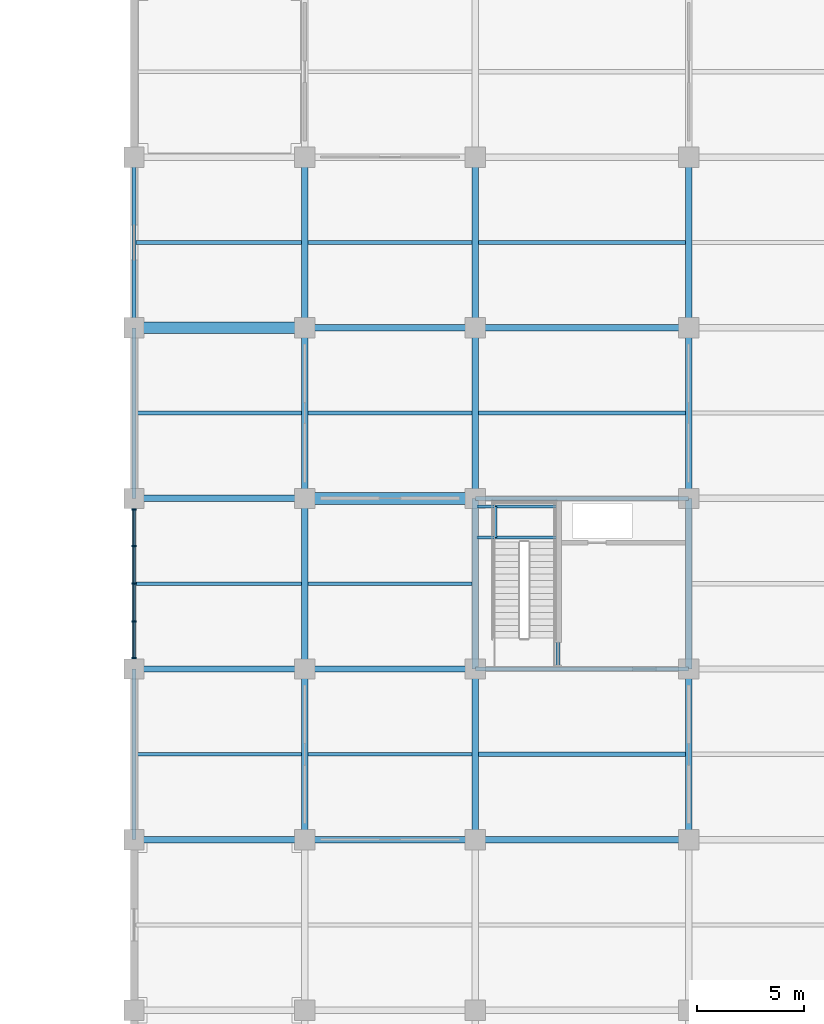
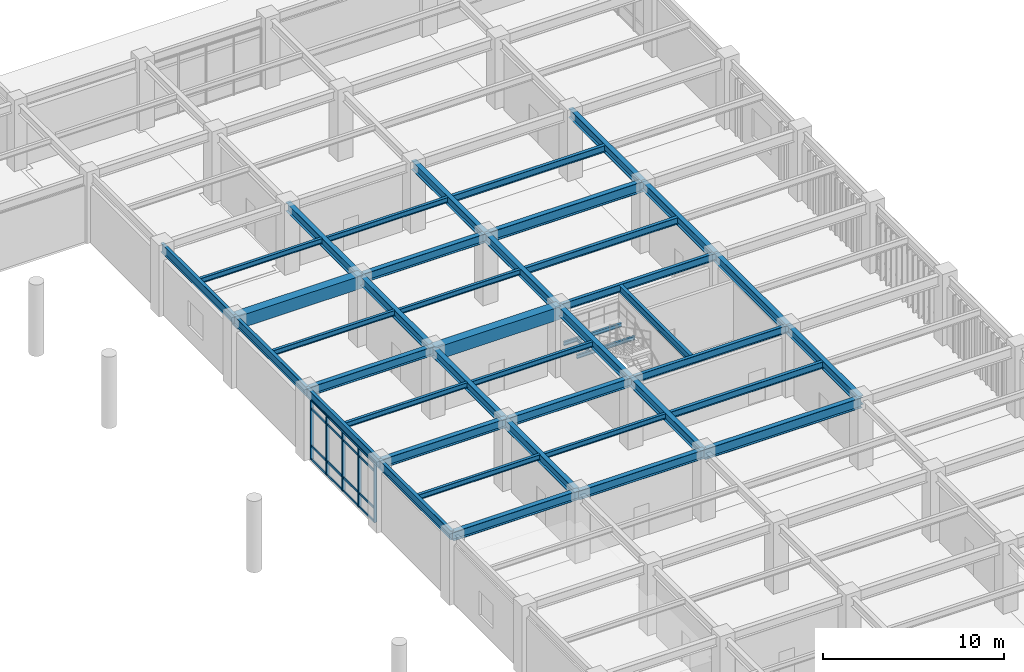
# One storey, part 36 of 109: 43 beams, 21 members, 1 element without a shape of its own.
"""IFC4 building model written with IfcOpenShell, lengths in metres."""

from ifc_helpers import new_model, si_unit, direction, frame, origin, origin_2d, place, context, subcontext, project, spatial, rectangle, i_section, extrude, material, layer, layer_set, material_profile, profile_set, type_object, element, aggregate, save


model = new_model("IFC4")

# Units and contexts
model_context = context("Model", 3, precision=1e-05, world=origin(), true_north=direction((0.0, 1.0)))
body_context = subcontext(model_context, "Body", "Model", "MODEL_VIEW")
ifc_project = project(units=[si_unit("LENGTHUNIT", "METRE"), si_unit("AREAUNIT", "SQUARE_METRE"), si_unit("VOLUMEUNIT", "CUBIC_METRE"), si_unit("PLANEANGLEUNIT", "RADIAN"), si_unit("MASSUNIT", "GRAM", prefix="KILO")], contexts=[model_context])

# Site, building, storey
site_placement = place(None, origin())
site = spatial("IfcSite", under=ifc_project, at=site_placement, CompositionType="ELEMENT")
building_placement = place(site_placement, origin())
building = spatial("IfcBuilding", under=site, at=building_placement, Name="Haebicheon Civic Stadium", CompositionType="ELEMENT")
storey_placement = place(building_placement, frame((0.0, 0.0, 9.60009765625)))
storey = spatial("IfcBuildingStorey", under=building, at=storey_placement, Name="L03", CompositionType="ELEMENT", Elevation=9.60009765625)

# Beams
ifc_material_1 = material(Name="Concrete C40/50", Category="concrete")
ifc_material_profile_1 = material_profile(ifc_material_1, rectangle(XDim=0.550048828125, YDim=0.85009765625, at=origin_2d()), Name="RC-BM-550x850")
ifc_profile_set_1 = profile_set([ifc_material_profile_1], Name="Concrete C40/50")
beam_type_1 = type_object("IfcBeamType", Name="BM-RC-550x850", PredefinedType="BEAM", material=ifc_profile_set_1)
for number, where, z_axis, x_axis, name in (
    (1, (200.0, 120.0, 4.15478515625), (1.0, 0.0, 0.0), (0.0, 1.0, 0.0), "L03 beam R/26-27"),
    (2, (208.0, 112.0, 4.114990234375), (1.0, 0.0, 0.0), (0.0, 1.0, 0.0), "L03 beam Q/27-28"),
):
    element("IfcBeam", number, at=place(storey_placement, frame(where, z_axis=z_axis, x_axis=x_axis)), inside=storey, type_object=beam_type_1, material=ifc_profile_set_1, Name=name, PredefinedType="BEAM", context=body_context, shape_type="SweptSolid", body=[
        extrude(rectangle(XDim=0.550048828125, YDim=0.85009765625, at=origin_2d()), origin(), (0.0, 0.0, 1.0), 8.0),
    ])
ifc_material_2 = material(Name="Steel SM355 (S355)", Category="steel")
ifc_material_profile_2 = material_profile(ifc_material_2, i_section(OverallWidth=0.199951171875, OverallDepth=0.5, WebThickness=0.010009765625, FlangeThickness=0.01611328125, at=origin_2d()), Name="H-500x200x10x16")
ifc_profile_set_2 = profile_set([ifc_material_profile_2], Name="Steel SM355 (S355)")
beam_type_2 = type_object("IfcBeamType", Name="BM-ST-H500", PredefinedType="BEAM", material=ifc_profile_set_2)
for number, where, z_axis, x_axis, name in (
    (3, (216.0, 104.0, 4.289794921875), (1.0, 0.0, 0.0), (0.0, 1.0, 0.0), "L03 beam P/28-29"),
    (4, (216.0, 112.0, 4.289794921875), (1.0, 0.0, 0.0), (0.0, 1.0, 0.0), "L03 beam Q/28-29"),
):
    element("IfcBeam", number, at=place(storey_placement, frame(where, z_axis=z_axis, x_axis=x_axis)), inside=storey, type_object=beam_type_2, material=ifc_profile_set_2, Name=name, PredefinedType="BEAM", context=body_context, shape_type="SweptSolid", body=[
        extrude(i_section(OverallWidth=0.199951171875, OverallDepth=0.5, WebThickness=0.010009765625, FlangeThickness=0.01611328125, at=origin_2d()), origin(), (0.0, 0.0, 1.0), 10.0),
    ])
beam_1_placement = place(storey_placement, frame((219.8798828125, 104.10009765625, 4.289794921875), z_axis=(0.0, 1.0, 0.0), x_axis=(-1.0, 0.0, 0.0)))
element("IfcBeam", 5, at=beam_1_placement, inside=storey, type_object=beam_type_2, material=ifc_profile_set_2, Name="L03 KC-13 core dividing wall support beam", PredefinedType="BEAM", context=body_context, shape_type="SweptSolid", body=[
    extrude(i_section(OverallWidth=0.199951171875, OverallDepth=0.5, WebThickness=0.010009765625, FlangeThickness=0.01611328125, at=origin_2d()), origin(), (0.0, 0.0, 1.0), 7.7998046875),
])
ifc_material_3 = material(Name="Steel SM355 (S355)", Category="steel")
ifc_material_profile_3 = material_profile(ifc_material_3, i_section(OverallWidth=0.300048828125, OverallDepth=0.60009765625, WebThickness=0.011962890625, FlangeThickness=0.02001953125, at=origin_2d()), Name="H-600x300x12x20")
ifc_profile_set_3 = profile_set([ifc_material_profile_3], Name="Steel SM355 (S355)")
beam_type_3 = type_object("IfcBeamType", Name="BM-ST-H600A", PredefinedType="BEAM", material=ifc_profile_set_3)
for number, where, z_axis, x_axis, name in (
    (6, (208.0, 96.0, 4.239990234375), (0.0, 1.0, 0.0), (-1.0, 0.0, 0.0), "L03 girder 27/N-P"),
    (7, (208.0, 104.0, 4.239990234375), (0.0, 1.0, 0.0), (-1.0, 0.0, 0.0), "L03 girder 27/P-Q"),
    (8, (208.0, 112.0, 4.239990234375), (0.0, 1.0, 0.0), (-1.0, 0.0, 0.0), "L03 girder 27/Q-R"),
    (9, (208.0, 120.0, 4.239990234375), (0.0, 1.0, 0.0), (-1.0, 0.0, 0.0), "L03 girder 27/R-S"),
    (10, (216.0, 96.0, 4.239990234375), (0.0, 1.0, 0.0), (-1.0, 0.0, 0.0), "L03 girder 28/N-P"),
    (11, (216.0, 104.0, 4.239990234375), (0.0, 1.0, 0.0), (-1.0, 0.0, 0.0), "L03 girder 28/P-Q"),
    (12, (216.0, 112.0, 4.239990234375), (0.0, 1.0, 0.0), (-1.0, 0.0, 0.0), "L03 girder 28/Q-R"),
    (13, (216.0, 120.0, 4.239990234375), (0.0, 1.0, 0.0), (-1.0, 0.0, 0.0), "L03 girder 28/R-S"),
    (14, (226.0, 96.0, 4.239990234375), (0.0, 1.0, 0.0), (-1.0, 0.0, 0.0), "L03 girder 29/N-P"),
    (15, (226.0, 104.0, 4.239990234375), (0.0, 1.0, 0.0), (-1.0, 0.0, 0.0), "L03 girder 29/P-Q"),
    (16, (226.0, 112.0, 4.239990234375), (0.0, 1.0, 0.0), (-1.0, 0.0, 0.0), "L03 girder 29/Q-R"),
    (17, (226.0, 120.0, 4.239990234375), (0.0, 1.0, 0.0), (-1.0, 0.0, 0.0), "L03 girder 29/R-S"),
    (18, (200.0, 96.0, 4.27978515625), (1.0, 0.0, 0.0), (0.0, 1.0, 0.0), "L03 beam N/26-27"),
    (19, (200.0, 104.0, 4.27978515625), (1.0, 0.0, 0.0), (0.0, 1.0, 0.0), "L03 beam P/26-27"),
    (20, (200.0, 112.0, 4.27978515625), (1.0, 0.0, 0.0), (0.0, 1.0, 0.0), "L03 beam Q/26-27"),
    (21, (208.0, 96.0, 4.239990234375), (1.0, 0.0, 0.0), (0.0, 1.0, 0.0), "L03 beam N/27-28"),
    (22, (208.0, 104.0, 4.239990234375), (1.0, 0.0, 0.0), (0.0, 1.0, 0.0), "L03 beam P/27-28"),
    (23, (208.0, 120.0, 4.239990234375), (1.0, 0.0, 0.0), (0.0, 1.0, 0.0), "L03 beam R/27-28"),
):
    element("IfcBeam", number, at=place(storey_placement, frame(where, z_axis=z_axis, x_axis=x_axis)), inside=storey, type_object=beam_type_3, material=ifc_profile_set_3, Name=name, PredefinedType="BEAM", context=body_context, shape_type="SweptSolid", body=[
        extrude(i_section(OverallWidth=0.300048828125, OverallDepth=0.60009765625, WebThickness=0.011962890625, FlangeThickness=0.02001953125, at=origin_2d()), origin(), (0.0, 0.0, 1.0), 8.0),
    ])
ifc_material_4 = material(Name="Steel SM490", Category="steel")
ifc_material_profile_4 = material_profile(ifc_material_4, i_section(OverallWidth=0.300048828125, OverallDepth=0.699951171875, WebThickness=0.012939453125, FlangeThickness=0.02392578125, at=origin_2d()), Name="H-700x300x13x24")
ifc_profile_set_4 = profile_set([ifc_material_profile_4], Name="Steel SM490")
beam_type_4 = type_object("IfcBeamType", Name="BM-ST-H700", PredefinedType="BEAM", material=ifc_profile_set_4)
for number, where, z_axis, x_axis, name in (
    (24, (216.0, 96.0, 4.18994140625), (1.0, 0.0, 0.0), (0.0, 1.0, 0.0), "L03 beam N/28-29"),
    (25, (216.0, 120.0, 4.18994140625), (1.0, 0.0, 0.0), (0.0, 1.0, 0.0), "L03 beam R/28-29"),
):
    element("IfcBeam", number, at=place(storey_placement, frame(where, z_axis=z_axis, x_axis=x_axis)), inside=storey, type_object=beam_type_4, material=ifc_profile_set_4, Name=name, PredefinedType="BEAM", context=body_context, shape_type="SweptSolid", body=[
        extrude(i_section(OverallWidth=0.300048828125, OverallDepth=0.699951171875, WebThickness=0.012939453125, FlangeThickness=0.02392578125, at=origin_2d()), origin(), (0.0, 0.0, 1.0), 10.0),
    ])

# Curtain wall, members
ifc_material_5 = material(Name="Anodised aluminium and laminated glass", Category="aluminium")
ifc_layer = layer(ifc_material_5, 0.179931640625, Name="Anodised aluminium and laminated glass")
ifc_layer_set = layer_set([ifc_layer], Name="Anodised aluminium and laminated glass")
curtain_wall_type = type_object("IfcCurtainWallType", Name="CW-7050x3950", PredefinedType="NOTDEFINED", material=ifc_layer_set)
curtain_wall_placement = place(storey_placement, origin())
curtain_wall = element("IfcCurtainWall", 26, at=curtain_wall_placement, inside=storey, type_object=curtain_wall_type, material=ifc_layer_set, Name="L03 unitised curtain wall 099", PredefinedType="NOTDEFINED")
ifc_material_6 = material(Name="Anodised aluminium 6063-T6", Category="aluminium")
ifc_material_profile_5 = material_profile(ifc_material_6, rectangle(XDim=0.070068359375, YDim=0.199951171875, at=origin_2d()), Name="ALU-MULL-70x200")
ifc_profile_set_5 = profile_set([ifc_material_profile_5], Name="Anodised aluminium 6063-T6")
member_type_1 = type_object("IfcMemberType", Name="CWM-200x70", PredefinedType="MULLION", material=ifc_profile_set_5)
member_1_placement = place(storey_placement, frame((200.0, 104.510009765625, 0.0), z_axis=(0.0, 0.0, 1.0), x_axis=(0.0, 1.0, 0.0)))
member_1 = element("IfcMember", 27, at=member_1_placement, type_object=member_type_1, material=ifc_profile_set_5, Name="CW-L03-099 vertical mullion 1", PredefinedType="MULLION", context=body_context, shape_type="SweptSolid", body=[
    extrude(rectangle(XDim=0.070068359375, YDim=0.199951171875, at=origin_2d()), origin(), (0.0, 0.0, 1.0), 3.949951171875),
])
member_2_placement = place(storey_placement, frame((200.0, 106.237060546875, 0.0), z_axis=(0.0, 0.0, 1.0), x_axis=(0.0, 1.0, 0.0)))
member_2 = element("IfcMember", 28, at=member_2_placement, type_object=member_type_1, material=ifc_profile_set_5, Name="CW-L03-099 vertical mullion 2", PredefinedType="MULLION", context=body_context, shape_type="SweptSolid", body=[
    extrude(rectangle(XDim=0.070068359375, YDim=0.199951171875, at=origin_2d()), origin(), (0.0, 0.0, 1.0), 3.949951171875),
])
member_3_placement = place(storey_placement, frame((200.0, 108.0, 0.0), z_axis=(0.0, 0.0, 1.0), x_axis=(0.0, 1.0, 0.0)))
member_3 = element("IfcMember", 29, at=member_3_placement, type_object=member_type_1, material=ifc_profile_set_5, Name="CW-L03-099 vertical mullion 3", PredefinedType="MULLION", context=body_context, shape_type="SweptSolid", body=[
    extrude(rectangle(XDim=0.070068359375, YDim=0.199951171875, at=origin_2d()), origin(), (0.0, 0.0, 1.0), 3.949951171875),
])
member_4_placement = place(storey_placement, frame((200.0, 109.762939453125, 0.0), z_axis=(0.0, 0.0, 1.0), x_axis=(0.0, 1.0, 0.0)))
member_4 = element("IfcMember", 30, at=member_4_placement, type_object=member_type_1, material=ifc_profile_set_5, Name="CW-L03-099 vertical mullion 4", PredefinedType="MULLION", context=body_context, shape_type="SweptSolid", body=[
    extrude(rectangle(XDim=0.070068359375, YDim=0.199951171875, at=origin_2d()), origin(), (0.0, 0.0, 1.0), 3.949951171875),
])
member_5_placement = place(storey_placement, frame((200.0, 111.489990234375, 0.0), z_axis=(0.0, 0.0, 1.0), x_axis=(0.0, 1.0, 0.0)))
member_5 = element("IfcMember", 31, at=member_5_placement, type_object=member_type_1, material=ifc_profile_set_5, Name="CW-L03-099 vertical mullion 5", PredefinedType="MULLION", context=body_context, shape_type="SweptSolid", body=[
    extrude(rectangle(XDim=0.070068359375, YDim=0.199951171875, at=origin_2d()), origin(), (0.0, 0.0, 1.0), 3.949951171875),
])
ifc_material_7 = material(Name="Anodised aluminium 6063-T6", Category="aluminium")
ifc_material_profile_6 = material_profile(ifc_material_7, rectangle(XDim=0.070068359375, YDim=0.14990234375, at=origin_2d()), Name="ALU-TRAN-70x150")
ifc_profile_set_6 = profile_set([ifc_material_profile_6], Name="Anodised aluminium 6063-T6")
member_type_2 = type_object("IfcMemberType", Name="CWT-150x70", PredefinedType="NOTDEFINED", material=ifc_profile_set_6)
member_6_placement = place(storey_placement, frame((200.0, 104.544921875, 0.0), z_axis=(0.0, 1.0, 0.0), x_axis=(-1.0, 0.0, 0.0)))
member_6 = element("IfcMember", 32, at=member_6_placement, type_object=member_type_2, material=ifc_profile_set_6, Name="CW-L03-099 horizontal transom 1.1", ObjectType="TRANSOM", PredefinedType="USERDEFINED", context=body_context, shape_type="SweptSolid", body=[
    extrude(rectangle(XDim=0.070068359375, YDim=0.14990234375, at=origin_2d()), origin(), (0.0, 0.0, 1.0), 1.656982421875),
])
member_7_placement = place(storey_placement, frame((200.0, 104.544921875, 0.89990234375), z_axis=(0.0, 1.0, 0.0), x_axis=(-1.0, 0.0, 0.0)))
member_7 = element("IfcMember", 33, at=member_7_placement, type_object=member_type_2, material=ifc_profile_set_6, Name="CW-L03-099 horizontal transom 1.2", ObjectType="TRANSOM", PredefinedType="USERDEFINED", context=body_context, shape_type="SweptSolid", body=[
    extrude(rectangle(XDim=0.070068359375, YDim=0.14990234375, at=origin_2d()), origin(), (0.0, 0.0, 1.0), 1.656982421875),
])
member_8_placement = place(storey_placement, frame((200.0, 104.544921875, 3.39990234375), z_axis=(0.0, 1.0, 0.0), x_axis=(-1.0, 0.0, 0.0)))
member_8 = element("IfcMember", 34, at=member_8_placement, type_object=member_type_2, material=ifc_profile_set_6, Name="CW-L03-099 horizontal transom 1.3", ObjectType="TRANSOM", PredefinedType="USERDEFINED", context=body_context, shape_type="SweptSolid", body=[
    extrude(rectangle(XDim=0.070068359375, YDim=0.14990234375, at=origin_2d()), origin(), (0.0, 0.0, 1.0), 1.656982421875),
])
member_9_placement = place(storey_placement, frame((200.0, 104.544921875, 3.949951171875), z_axis=(0.0, 1.0, 0.0), x_axis=(-1.0, 0.0, 0.0)))
member_9 = element("IfcMember", 35, at=member_9_placement, type_object=member_type_2, material=ifc_profile_set_6, Name="CW-L03-099 horizontal transom 1.4", ObjectType="TRANSOM", PredefinedType="USERDEFINED", context=body_context, shape_type="SweptSolid", body=[
    extrude(rectangle(XDim=0.070068359375, YDim=0.14990234375, at=origin_2d()), origin(), (0.0, 0.0, 1.0), 1.656982421875),
])
member_10_placement = place(storey_placement, frame((200.0, 106.27197265625, 0.0), z_axis=(0.0, 1.0, 0.0), x_axis=(-1.0, 0.0, 0.0)))
member_10 = element("IfcMember", 36, at=member_10_placement, type_object=member_type_2, material=ifc_profile_set_6, Name="CW-L03-099 horizontal transom 2.1", ObjectType="TRANSOM", PredefinedType="USERDEFINED", context=body_context, shape_type="SweptSolid", body=[
    extrude(rectangle(XDim=0.070068359375, YDim=0.14990234375, at=origin_2d()), origin(), (0.0, 0.0, 1.0), 1.693115234375),
])
member_11_placement = place(storey_placement, frame((200.0, 106.27197265625, 0.89990234375), z_axis=(0.0, 1.0, 0.0), x_axis=(-1.0, 0.0, 0.0)))
member_11 = element("IfcMember", 37, at=member_11_placement, type_object=member_type_2, material=ifc_profile_set_6, Name="CW-L03-099 horizontal transom 2.2", ObjectType="TRANSOM", PredefinedType="USERDEFINED", context=body_context, shape_type="SweptSolid", body=[
    extrude(rectangle(XDim=0.070068359375, YDim=0.14990234375, at=origin_2d()), origin(), (0.0, 0.0, 1.0), 1.693115234375),
])
member_12_placement = place(storey_placement, frame((200.0, 106.27197265625, 3.39990234375), z_axis=(0.0, 1.0, 0.0), x_axis=(-1.0, 0.0, 0.0)))
member_12 = element("IfcMember", 38, at=member_12_placement, type_object=member_type_2, material=ifc_profile_set_6, Name="CW-L03-099 horizontal transom 2.3", ObjectType="TRANSOM", PredefinedType="USERDEFINED", context=body_context, shape_type="SweptSolid", body=[
    extrude(rectangle(XDim=0.070068359375, YDim=0.14990234375, at=origin_2d()), origin(), (0.0, 0.0, 1.0), 1.693115234375),
])
member_13_placement = place(storey_placement, frame((200.0, 106.27197265625, 3.949951171875), z_axis=(0.0, 1.0, 0.0), x_axis=(-1.0, 0.0, 0.0)))
member_13 = element("IfcMember", 39, at=member_13_placement, type_object=member_type_2, material=ifc_profile_set_6, Name="CW-L03-099 horizontal transom 2.4", ObjectType="TRANSOM", PredefinedType="USERDEFINED", context=body_context, shape_type="SweptSolid", body=[
    extrude(rectangle(XDim=0.070068359375, YDim=0.14990234375, at=origin_2d()), origin(), (0.0, 0.0, 1.0), 1.693115234375),
])
member_14_placement = place(storey_placement, frame((200.0, 108.034912109375, 0.0), z_axis=(0.0, 1.0, 0.0), x_axis=(-1.0, 0.0, 0.0)))
member_14 = element("IfcMember", 40, at=member_14_placement, type_object=member_type_2, material=ifc_profile_set_6, Name="CW-L03-099 horizontal transom 3.1", ObjectType="TRANSOM", PredefinedType="USERDEFINED", context=body_context, shape_type="SweptSolid", body=[
    extrude(rectangle(XDim=0.070068359375, YDim=0.14990234375, at=origin_2d()), origin(), (0.0, 0.0, 1.0), 1.693115234375),
])
member_15_placement = place(storey_placement, frame((200.0, 108.034912109375, 0.89990234375), z_axis=(0.0, 1.0, 0.0), x_axis=(-1.0, 0.0, 0.0)))
member_15 = element("IfcMember", 41, at=member_15_placement, type_object=member_type_2, material=ifc_profile_set_6, Name="CW-L03-099 horizontal transom 3.2", ObjectType="TRANSOM", PredefinedType="USERDEFINED", context=body_context, shape_type="SweptSolid", body=[
    extrude(rectangle(XDim=0.070068359375, YDim=0.14990234375, at=origin_2d()), origin(), (0.0, 0.0, 1.0), 1.693115234375),
])
member_16_placement = place(storey_placement, frame((200.0, 108.034912109375, 3.39990234375), z_axis=(0.0, 1.0, 0.0), x_axis=(-1.0, 0.0, 0.0)))
member_16 = element("IfcMember", 42, at=member_16_placement, type_object=member_type_2, material=ifc_profile_set_6, Name="CW-L03-099 horizontal transom 3.3", ObjectType="TRANSOM", PredefinedType="USERDEFINED", context=body_context, shape_type="SweptSolid", body=[
    extrude(rectangle(XDim=0.070068359375, YDim=0.14990234375, at=origin_2d()), origin(), (0.0, 0.0, 1.0), 1.693115234375),
])
member_17_placement = place(storey_placement, frame((200.0, 108.034912109375, 3.949951171875), z_axis=(0.0, 1.0, 0.0), x_axis=(-1.0, 0.0, 0.0)))
member_17 = element("IfcMember", 43, at=member_17_placement, type_object=member_type_2, material=ifc_profile_set_6, Name="CW-L03-099 horizontal transom 3.4", ObjectType="TRANSOM", PredefinedType="USERDEFINED", context=body_context, shape_type="SweptSolid", body=[
    extrude(rectangle(XDim=0.070068359375, YDim=0.14990234375, at=origin_2d()), origin(), (0.0, 0.0, 1.0), 1.693115234375),
])
member_18_placement = place(storey_placement, frame((200.0, 109.798095703125, 0.0), z_axis=(0.0, 1.0, 0.0), x_axis=(-1.0, 0.0, 0.0)))
member_18 = element("IfcMember", 44, at=member_18_placement, type_object=member_type_2, material=ifc_profile_set_6, Name="CW-L03-099 horizontal transom 4.1", ObjectType="TRANSOM", PredefinedType="USERDEFINED", context=body_context, shape_type="SweptSolid", body=[
    extrude(rectangle(XDim=0.070068359375, YDim=0.14990234375, at=origin_2d()), origin(), (0.0, 0.0, 1.0), 1.656982421875),
])
member_19_placement = place(storey_placement, frame((200.0, 109.798095703125, 0.89990234375), z_axis=(0.0, 1.0, 0.0), x_axis=(-1.0, 0.0, 0.0)))
member_19 = element("IfcMember", 45, at=member_19_placement, type_object=member_type_2, material=ifc_profile_set_6, Name="CW-L03-099 horizontal transom 4.2", ObjectType="TRANSOM", PredefinedType="USERDEFINED", context=body_context, shape_type="SweptSolid", body=[
    extrude(rectangle(XDim=0.070068359375, YDim=0.14990234375, at=origin_2d()), origin(), (0.0, 0.0, 1.0), 1.656982421875),
])
member_20_placement = place(storey_placement, frame((200.0, 109.798095703125, 3.39990234375), z_axis=(0.0, 1.0, 0.0), x_axis=(-1.0, 0.0, 0.0)))
member_20 = element("IfcMember", 46, at=member_20_placement, type_object=member_type_2, material=ifc_profile_set_6, Name="CW-L03-099 horizontal transom 4.3", ObjectType="TRANSOM", PredefinedType="USERDEFINED", context=body_context, shape_type="SweptSolid", body=[
    extrude(rectangle(XDim=0.070068359375, YDim=0.14990234375, at=origin_2d()), origin(), (0.0, 0.0, 1.0), 1.656982421875),
])
member_21_placement = place(storey_placement, frame((200.0, 109.798095703125, 3.949951171875), z_axis=(0.0, 1.0, 0.0), x_axis=(-1.0, 0.0, 0.0)))
member_21 = element("IfcMember", 47, at=member_21_placement, type_object=member_type_2, material=ifc_profile_set_6, Name="CW-L03-099 horizontal transom 4.4", ObjectType="TRANSOM", PredefinedType="USERDEFINED", context=body_context, shape_type="SweptSolid", body=[
    extrude(rectangle(XDim=0.070068359375, YDim=0.14990234375, at=origin_2d()), origin(), (0.0, 0.0, 1.0), 1.656982421875),
])
aggregate(curtain_wall, [member_1, member_2, member_3, member_4, member_5, member_6, member_7, member_8, member_9, member_10, member_11, member_12, member_13, member_14, member_15, member_16, member_17, member_18, member_19, member_20, member_21])

# Beams
ifc_material_8 = material(Name="Steel SM355 (S355)", Category="steel")
ifc_material_profile_7 = material_profile(ifc_material_8, i_section(OverallWidth=0.125, OverallDepth=0.25, WebThickness=0.006103515625, FlangeThickness=0.009033203125, at=origin_2d()), Name="H-250x125x6x9")
ifc_profile_set_7 = profile_set([ifc_material_profile_7], Name="Steel SM355 (S355)")
beam_type_5 = type_object("IfcBeamType", Name="JST-ST-H250", PredefinedType="JOIST", material=ifc_profile_set_7)
for number, where, z_axis, x_axis, name in (
    (48, (216.080078125, 110.169921875, 2.072021484375), (1.0, 0.0, 0.0), (0.0, 1.0, 0.0), "KC-13 L03 stair half-landing front trimmer beam"),
    (49, (216.080078125, 111.6201171875, 2.072021484375), (1.0, 0.0, 0.0), (0.0, 1.0, 0.0), "KC-13 L03 stair half-landing rear trimmer beam"),
):
    element("IfcBeam", number, at=place(storey_placement, frame(where, z_axis=z_axis, x_axis=x_axis)), inside=storey, type_object=beam_type_5, material=ifc_profile_set_7, Name=name, PredefinedType="JOIST", context=body_context, shape_type="SweptSolid", body=[
        extrude(i_section(OverallWidth=0.125, OverallDepth=0.25, WebThickness=0.006103515625, FlangeThickness=0.009033203125, at=origin_2d()), origin(), (0.0, 0.0, 1.0), 3.719970703125),
    ])
beam_2_placement = place(storey_placement, frame((216.9599609375, 110.169921875, 2.072021484375), z_axis=(0.0, 1.0, 0.0), x_axis=(-1.0, 0.0, 0.0)))
element("IfcBeam", 50, at=beam_2_placement, inside=storey, type_object=beam_type_5, material=ifc_profile_set_7, Name="KC-13 L03 stair half-landing transverse tie beam", PredefinedType="JOIST", context=body_context, shape_type="SweptSolid", body=[
    extrude(i_section(OverallWidth=0.125, OverallDepth=0.25, WebThickness=0.006103515625, FlangeThickness=0.009033203125, at=origin_2d()), origin(), (0.0, 0.0, 1.0), 1.4501953125),
])
ifc_material_9 = material(Name="Steel SM355 (S355)", Category="steel")
ifc_material_profile_8 = material_profile(ifc_material_9, i_section(OverallWidth=0.175048828125, OverallDepth=0.35009765625, WebThickness=0.007080078125, FlangeThickness=0.010986328125, at=origin_2d()), Name="H-350x175x7x11")
ifc_profile_set_8 = profile_set([ifc_material_profile_8], Name="Steel SM355 (S355)")
beam_type_6 = type_object("IfcBeamType", Name="JST-ST-H350", PredefinedType="JOIST", material=ifc_profile_set_8)
for number, where, z_axis, x_axis, name in (
    (51, (200.10009765625, 100.0, 4.40478515625), (1.0, 0.0, 0.0), (0.0, 1.0, 0.0), "L03 secondary joist 25-12"),
    (52, (200.10009765625, 108.0, 4.40478515625), (1.0, 0.0, 0.0), (0.0, 1.0, 0.0), "L03 secondary joist 25-13"),
    (53, (200.10009765625, 116.0, 4.40478515625), (1.0, 0.0, 0.0), (0.0, 1.0, 0.0), "L03 secondary joist 25-14"),
    (54, (200.10009765625, 124.0, 4.40478515625), (1.0, 0.0, 0.0), (0.0, 1.0, 0.0), "L03 secondary joist 25-15"),
):
    element("IfcBeam", number, at=place(storey_placement, frame(where, z_axis=z_axis, x_axis=x_axis)), inside=storey, type_object=beam_type_6, material=ifc_profile_set_8, Name=name, PredefinedType="JOIST", context=body_context, shape_type="SweptSolid", body=[
        extrude(i_section(OverallWidth=0.175048828125, OverallDepth=0.35009765625, WebThickness=0.007080078125, FlangeThickness=0.010986328125, at=origin_2d()), origin(), (0.0, 0.0, 1.0), 7.75),
    ])
for number, where, z_axis, x_axis, name in (
    (55, (208.14990234375, 100.0, 4.364990234375), (1.0, 0.0, 0.0), (0.0, 1.0, 0.0), "L03 secondary joist 26-12"),
    (56, (208.14990234375, 108.0, 4.364990234375), (1.0, 0.0, 0.0), (0.0, 1.0, 0.0), "L03 secondary joist 26-13"),
    (57, (208.14990234375, 116.0, 4.364990234375), (1.0, 0.0, 0.0), (0.0, 1.0, 0.0), "L03 secondary joist 26-14"),
    (58, (208.14990234375, 124.0, 4.364990234375), (1.0, 0.0, 0.0), (0.0, 1.0, 0.0), "L03 secondary joist 26-15"),
):
    element("IfcBeam", number, at=place(storey_placement, frame(where, z_axis=z_axis, x_axis=x_axis)), inside=storey, type_object=beam_type_6, material=ifc_profile_set_8, Name=name, PredefinedType="JOIST", context=body_context, shape_type="SweptSolid", body=[
        extrude(i_section(OverallWidth=0.175048828125, OverallDepth=0.35009765625, WebThickness=0.007080078125, FlangeThickness=0.010986328125, at=origin_2d()), origin(), (0.0, 0.0, 1.0), 7.7001953125),
    ])
ifc_material_10 = material(Name="Steel SM355 (S355)", Category="steel")
ifc_material_profile_9 = material_profile(ifc_material_10, i_section(OverallWidth=0.199951171875, OverallDepth=0.449951171875, WebThickness=0.009033203125, FlangeThickness=0.013916015625, at=origin_2d()), Name="H-450x200x9x14")
ifc_profile_set_9 = profile_set([ifc_material_profile_9], Name="Steel SM355 (S355)")
beam_type_7 = type_object("IfcBeamType", Name="JST-ST-H450", PredefinedType="JOIST", material=ifc_profile_set_9)
for number, where, z_axis, x_axis, name in (
    (59, (216.14990234375, 100.0, 4.31494140625), (1.0, 0.0, 0.0), (0.0, 1.0, 0.0), "L03 secondary joist 27-12"),
    (60, (216.14990234375, 116.0, 4.31494140625), (1.0, 0.0, 0.0), (0.0, 1.0, 0.0), "L03 secondary joist 27-14"),
    (61, (216.14990234375, 124.0, 4.31494140625), (1.0, 0.0, 0.0), (0.0, 1.0, 0.0), "L03 secondary joist 27-15"),
):
    element("IfcBeam", number, at=place(storey_placement, frame(where, z_axis=z_axis, x_axis=x_axis)), inside=storey, type_object=beam_type_7, material=ifc_profile_set_9, Name=name, PredefinedType="JOIST", context=body_context, shape_type="SweptSolid", body=[
        extrude(i_section(OverallWidth=0.199951171875, OverallDepth=0.449951171875, WebThickness=0.009033203125, FlangeThickness=0.013916015625, at=origin_2d()), origin(), (0.0, 0.0, 1.0), 9.7001953125),
    ])
ifc_material_11 = material(Name="Steel SM355 (S355)", Category="steel")
ifc_material_profile_10 = material_profile(ifc_material_11, i_section(OverallWidth=0.199951171875, OverallDepth=0.60009765625, WebThickness=0.010986328125, FlangeThickness=0.01708984375, at=origin_2d()), Name="H-600x200x11x17")
ifc_profile_set_10 = profile_set([ifc_material_profile_10], Name="Steel SM355 (S355)")
beam_type_8 = type_object("IfcBeamType", Name="SPD-ST-H600B", PredefinedType="SPANDREL", material=ifc_profile_set_10)
for number, where, z_axis, x_axis, name in (
    (62, (200.0, 96.0, 4.27978515625), (0.0, 1.0, 0.0), (-1.0, 0.0, 0.0), "L03 girder 26/N-P"),
    (63, (200.0, 104.0, 4.27978515625), (0.0, 1.0, 0.0), (-1.0, 0.0, 0.0), "L03 girder 26/P-Q"),
    (64, (200.0, 112.0, 4.27978515625), (0.0, 1.0, 0.0), (-1.0, 0.0, 0.0), "L03 girder 26/Q-R"),
    (65, (200.0, 120.0, 4.27978515625), (0.0, 1.0, 0.0), (-1.0, 0.0, 0.0), "L03 girder 26/R-S"),
):
    element("IfcBeam", number, at=place(storey_placement, frame(where, z_axis=z_axis, x_axis=x_axis)), inside=storey, type_object=beam_type_8, material=ifc_profile_set_10, Name=name, PredefinedType="SPANDREL", context=body_context, shape_type="SweptSolid", body=[
        extrude(i_section(OverallWidth=0.199951171875, OverallDepth=0.60009765625, WebThickness=0.010986328125, FlangeThickness=0.01708984375, at=origin_2d()), origin(), (0.0, 0.0, 1.0), 8.0),
    ])

save(model, "model.ifc")
